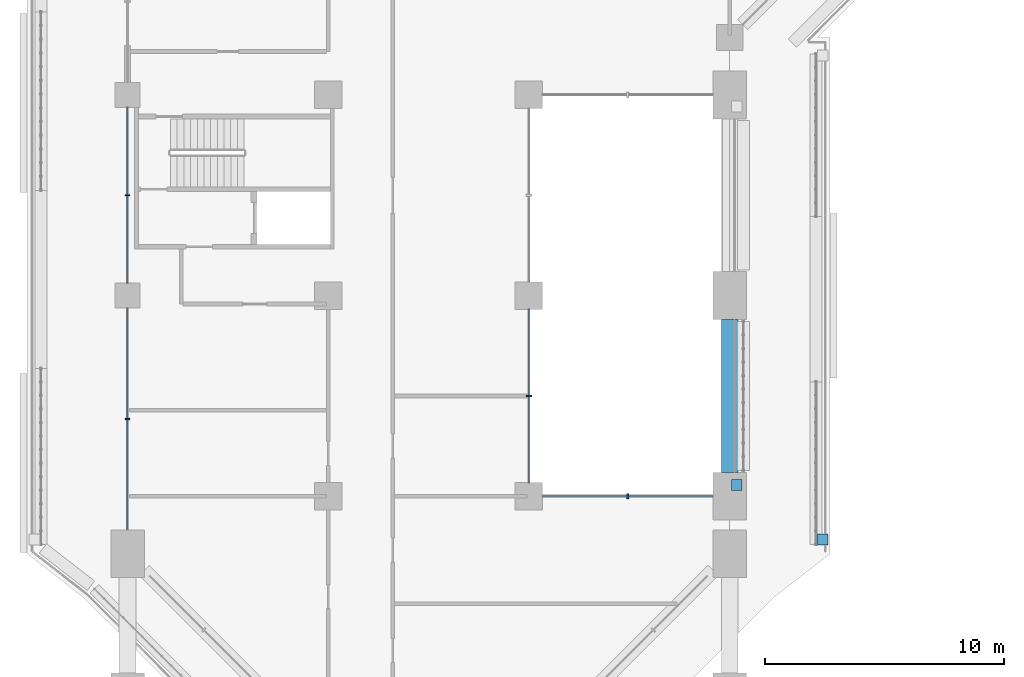
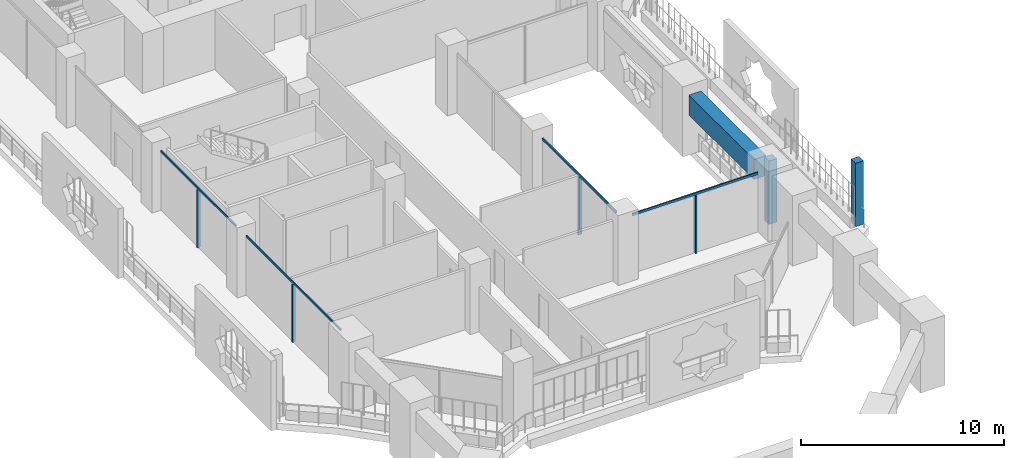
# One storey, part 3 of 27: 10 members, 1 beam, 4 elements without a shape of their own.
"""IFC4 building model written with IfcOpenShell, lengths in metres."""

from ifc_helpers import new_model, si_unit, direction, frame, origin, origin_2d, place, context, subcontext, project, spatial, rectangle, extrude, material, layer, layer_set, material_profile, profile_set, type_object, element, aggregate, save


model = new_model("IFC4")

# Units and contexts
model_context = context("Model", 3, precision=1e-05, world=origin(), true_north=direction((0.0, 1.0)))
body_context = subcontext(model_context, "Body", "Model", "MODEL_VIEW")
ifc_project = project(units=[si_unit("LENGTHUNIT", "METRE"), si_unit("AREAUNIT", "SQUARE_METRE"), si_unit("VOLUMEUNIT", "CUBIC_METRE"), si_unit("PLANEANGLEUNIT", "RADIAN"), si_unit("MASSUNIT", "GRAM", prefix="KILO")], contexts=[model_context])

# Site, building, storey
site_placement = place(None, origin())
site = spatial("IfcSite", under=ifc_project, at=site_placement, CompositionType="ELEMENT")
building_placement = place(site_placement, origin())
building = spatial("IfcBuilding", under=site, at=building_placement, Name="Kawkab Arch Medical Tower", CompositionType="ELEMENT")
storey_placement = place(building_placement, frame((0.0, 0.0, 103.0)))
storey = spatial("IfcBuildingStorey", under=building, at=storey_placement, Name="L23", CompositionType="ELEMENT", Elevation=103.0)

# Curtain wall, members
ifc_material_1 = material(Name="Bronze anodised aluminium curtain wall frame", Category="aluminium")
ifc_layer_1 = layer(ifc_material_1, 0.159912109375)
ifc_layer_set_1 = layer_set([ifc_layer_1], Name="Bronze anodised aluminium curtain wall frame")
curtain_wall_type_1 = type_object("IfcCurtainWallType", Name="CW1 ward curtain wall", PredefinedType="NOTDEFINED", material=ifc_layer_set_1)
placement = place(storey_placement, origin())
curtain_wall_1 = element("IfcCurtainWall", 1, at=placement, inside=storey, type_object=curtain_wall_type_1, Name="CW1 Ward curtain wall R13", PredefinedType="NOTDEFINED")
ifc_material_2 = material(Name="Bronze anodised aluminium curtain wall frame", Category="aluminium")
ifc_material_profile_1 = material_profile(ifc_material_2, rectangle(XDim=0.179931640625, YDim=0.06005859375, at=origin_2d()), Name="AL 60x180")
ifc_profile_set_1 = profile_set([ifc_material_profile_1], Name="Bronze anodised aluminium curtain wall frame")
member_type_1 = type_object("IfcMemberType", Name="CW1 mullion 60 x 180", PredefinedType="MULLION", material=ifc_profile_set_1)
member_1_placement = place(storey_placement, frame((0.0, -37.800048828125, 0.0), z_axis=(0.0, 0.0, 1.0), x_axis=(1.0, 0.0, 0.0)))
member_1 = element("IfcMember", 2, at=member_1_placement, type_object=member_type_1, Name="CW1 mullion 5.1", PredefinedType="MULLION", context=body_context, shape_type="SweptSolid", body=[
    extrude(rectangle(XDim=0.179931640625, YDim=0.06005859375, at=origin_2d()), origin(), (0.0, 0.0, 1.0), 3.47998046875),
])
member_2_placement = place(storey_placement, frame((0.0, -47.16259765625, 0.0), z_axis=(0.0, 0.0, 1.0), x_axis=(1.0, 0.0, 0.0)))
member_2 = element("IfcMember", 3, at=member_2_placement, type_object=member_type_1, Name="CW1 mullion 6.1", PredefinedType="MULLION", context=body_context, shape_type="SweptSolid", body=[
    extrude(rectangle(XDim=0.179931640625, YDim=0.06005859375, at=origin_2d()), origin(), (0.0, 0.0, 1.0), 3.47998046875),
])
ifc_material_3 = material(Name="Bronze anodised aluminium curtain wall frame", Category="aluminium")
ifc_material_profile_2 = material_profile(ifc_material_3, rectangle(XDim=0.06005859375, YDim=0.1201171875, at=origin_2d()), Name="AL 60x120")
ifc_profile_set_2 = profile_set([ifc_material_profile_2], Name="Bronze anodised aluminium curtain wall frame")
member_type_2 = type_object("IfcMemberType", Name="CW1 transom 120 x 60", PredefinedType="USERDEFINED", material=ifc_profile_set_2)
member_3_placement = place(storey_placement, frame((0.0, -34.125, 3.5400390625), z_axis=(0.0, -1.0, 0.0), x_axis=(1.0, 0.0, 0.0)))
member_3 = element("IfcMember", 4, at=member_3_placement, type_object=member_type_2, Name="CW1 transom 5", ObjectType="TRANSOM", PredefinedType="USERDEFINED", context=body_context, shape_type="SweptSolid", body=[
    extrude(rectangle(XDim=0.06005859375, YDim=0.1201171875, at=origin_2d()), origin(), (0.0, 0.0, 1.0), 7.35009765625),
])
member_4_placement = place(storey_placement, frame((0.0, -42.52490234375, 3.5400390625), z_axis=(0.0, -1.0, 0.0), x_axis=(1.0, 0.0, 0.0)))
member_4 = element("IfcMember", 5, at=member_4_placement, type_object=member_type_2, Name="CW1 transom 6", ObjectType="TRANSOM", PredefinedType="USERDEFINED", context=body_context, shape_type="SweptSolid", body=[
    extrude(rectangle(XDim=0.06005859375, YDim=0.1201171875, at=origin_2d()), origin(), (0.0, 0.0, 1.0), 9.275146484375),
])
aggregate(curtain_wall_1, [member_3, member_1, member_4, member_2])

# Curtain wall, member
ifc_material_4 = material(Name="Bronze anodised aluminium curtain wall frame", Category="aluminium")
ifc_layer_2 = layer(ifc_material_4, 0.159912109375)
ifc_layer_set_2 = layer_set([ifc_layer_2], Name="Bronze anodised aluminium curtain wall frame")
curtain_wall_type_2 = type_object("IfcCurtainWallType", Name="CW3 sky garden curtain wall", PredefinedType="NOTDEFINED", material=ifc_layer_set_2)
curtain_wall_2 = element("IfcCurtainWall", 6, at=placement, inside=storey, type_object=curtain_wall_type_2, Name="CW3 Sky garden curtain wall R02", PredefinedType="NOTDEFINED")
ifc_material_5 = material(Name="Bronze anodised aluminium curtain wall frame", Category="aluminium")
ifc_material_profile_3 = material_profile(ifc_material_5, rectangle(XDim=0.219970703125, YDim=0.070068359375, at=origin_2d()), Name="AL 70x220")
ifc_profile_set_3 = profile_set([ifc_material_profile_3], Name="Bronze anodised aluminium curtain wall frame")
member_type_3 = type_object("IfcMemberType", Name="CW3 mullion 70 x 220", PredefinedType="MULLION", material=ifc_profile_set_3)
member_5_placement = place(storey_placement, frame((20.9375, -50.39990234375, 0.0), z_axis=(0.0, 0.0, 1.0), x_axis=(0.0, -1.0, 0.0)))
member_5 = element("IfcMember", 7, at=member_5_placement, type_object=member_type_3, Name="CW3 mullion 1.1", PredefinedType="MULLION", context=body_context, shape_type="SweptSolid", body=[
    extrude(rectangle(XDim=0.219970703125, YDim=0.070068359375, at=origin_2d()), origin(), (0.0, 0.0, 1.0), 3.4599609375),
])

curtain_wall_3 = element("IfcCurtainWall", 8, at=placement, inside=storey, type_object=curtain_wall_type_2, Name="CW3 Sky garden curtain wall R03", PredefinedType="NOTDEFINED")
member_6_placement = place(storey_placement, frame((16.800048828125, -46.199951171875, 0.0), z_axis=(0.0, 0.0, 1.0), x_axis=(-1.0, 0.0, 0.0)))
member_6 = element("IfcMember", 9, at=member_6_placement, type_object=member_type_3, Name="CW3 mullion 1.1", PredefinedType="MULLION", context=body_context, shape_type="SweptSolid", body=[
    extrude(rectangle(XDim=0.219970703125, YDim=0.070068359375, at=origin_2d()), origin(), (0.0, 0.0, 1.0), 3.4599609375),
])

# Member
ifc_material_6 = material(Name="Bronze anodised aluminium curtain wall frame", Category="aluminium")
ifc_material_profile_4 = material_profile(ifc_material_6, rectangle(XDim=0.070068359375, YDim=0.139892578125, at=origin_2d()), Name="AL 70x140")
ifc_profile_set_4 = profile_set([ifc_material_profile_4], Name="Bronze anodised aluminium curtain wall frame")
member_type_4 = type_object("IfcMemberType", Name="CW3 transom 140 x 70", PredefinedType="USERDEFINED", material=ifc_profile_set_4)
member_7_placement = place(storey_placement, frame((24.5, -50.39990234375, 3.530029296875), z_axis=(-1.0, 0.0, 0.0), x_axis=(0.0, -1.0, 0.0)))
member_7 = element("IfcMember", 10, at=member_7_placement, type_object=member_type_4, Name="CW3 transom 1", ObjectType="TRANSOM", PredefinedType="USERDEFINED", context=body_context, shape_type="SweptSolid", body=[
    extrude(rectangle(XDim=0.070068359375, YDim=0.139892578125, at=origin_2d()), origin(), (0.0, 0.0, 1.0), 7.125),
])

aggregate(curtain_wall_2, [member_7, member_5])

member_8_placement = place(storey_placement, frame((16.800048828125, -49.824951171875, 3.530029296875), z_axis=(0.0, 1.0, 0.0), x_axis=(-1.0, 0.0, 0.0)))
member_8 = element("IfcMember", 11, at=member_8_placement, type_object=member_type_4, Name="CW3 transom 1", ObjectType="TRANSOM", PredefinedType="USERDEFINED", context=body_context, shape_type="SweptSolid", body=[
    extrude(rectangle(XDim=0.070068359375, YDim=0.139892578125, at=origin_2d()), origin(), (0.0, 0.0, 1.0), 7.25),
])

aggregate(curtain_wall_3, [member_8, member_6])

# Curtain wall, members
ifc_material_7 = material(Name="Bronze anodised aluminium climber frame, planted", Category="aluminium")
ifc_layer_3 = layer(ifc_material_7, 0.449951171875)
ifc_layer_set_3 = layer_set([ifc_layer_3], Name="Bronze anodised aluminium climber frame, planted")
curtain_wall_type_3 = type_object("IfcCurtainWallType", Name="Planted climber frame", PredefinedType="NOTDEFINED", material=ifc_layer_set_3)
curtain_wall_4 = element("IfcCurtainWall", 12, at=placement, inside=storey, type_object=curtain_wall_type_3, Name="Planted climber frame L23", PredefinedType="NOTDEFINED")
ifc_material_8 = material(Name="Bronze anodised aluminium climber frame, planted", Category="aluminium")
ifc_material_profile_5 = material_profile(ifc_material_8, rectangle(XDim=0.449951171875, YDim=0.449951171875, at=origin_2d()), Name="Post 450x450")
ifc_profile_set_5 = profile_set([ifc_material_profile_5], Name="Bronze anodised aluminium climber frame, planted")
member_type_5 = type_object("IfcMemberType", Name="Planted climber post 450 x 450", PredefinedType="MULLION", material=ifc_profile_set_5)
member_9_placement = place(storey_placement, frame((25.5, -49.919921875, 0.0), z_axis=(0.0, 0.0, 1.0), x_axis=(1.0, 0.0, 0.0)))
member_9 = element("IfcMember", 13, at=member_9_placement, type_object=member_type_5, Name="Planted climber post L23.LOG-01-01.1", PredefinedType="MULLION", context=body_context, shape_type="SweptSolid", body=[
    extrude(rectangle(XDim=0.449951171875, YDim=0.449951171875, at=origin_2d()), origin(), (0.0, 0.0, 1.0), 3.800048828125),
])
member_10_placement = place(storey_placement, frame((29.10009765625, -52.202880859375, 0.0), z_axis=(0.0, 0.0, 1.0), x_axis=(1.0, 0.0, 0.0)))
member_10 = element("IfcMember", 14, at=member_10_placement, type_object=member_type_5, Name="Planted climber post L23.LOG-01-02.6", PredefinedType="MULLION", context=body_context, shape_type="SweptSolid", body=[
    extrude(rectangle(XDim=0.449951171875, YDim=0.449951171875, at=origin_2d()), origin(), (0.0, 0.0, 1.0), 3.800048828125),
])
aggregate(curtain_wall_4, [member_9, member_10])

# Beam
ifc_material_9 = material(Name="Concrete C55/67", Category="concrete")
ifc_material_profile_6 = material_profile(ifc_material_9, rectangle(XDim=0.699951171875, YDim=1.199951171875, at=origin_2d()), Name="RC 700x1200")
ifc_profile_set_6 = profile_set([ifc_material_profile_6], Name="Concrete C55/67")
beam_type = type_object("IfcBeamType", Name="RC 700x1200 beam C55/67", PredefinedType="BEAM", material=ifc_profile_set_6)
beam_placement = place(storey_placement, frame((25.199951171875, -43.0, 3.0), z_axis=(0.0, -1.0, 0.0), x_axis=(1.0, 0.0, 0.0)))
element("IfcBeam", 15, at=beam_placement, inside=storey, type_object=beam_type, Name="Terrace frame beam TF-L22-2-L24-02", PredefinedType="BEAM", context=body_context, shape_type="SweptSolid", body=[
    extrude(rectangle(XDim=0.699951171875, YDim=1.199951171875, at=origin_2d()), origin(), (0.0, 0.0, 1.0), 6.39990234375),
])

save(model, "model.ifc")
